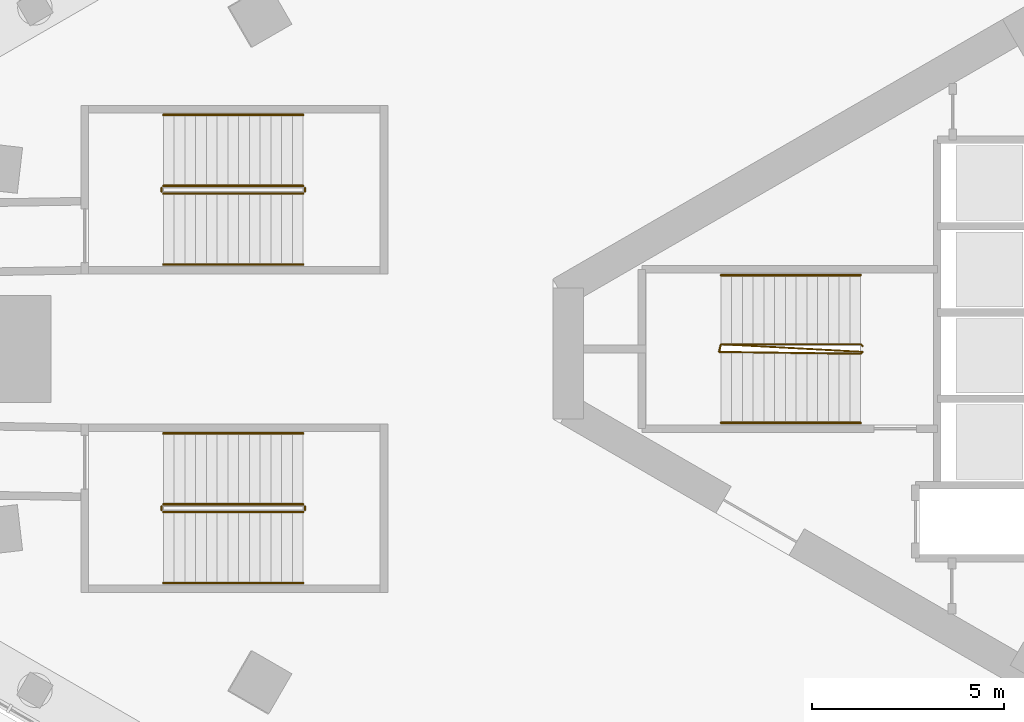
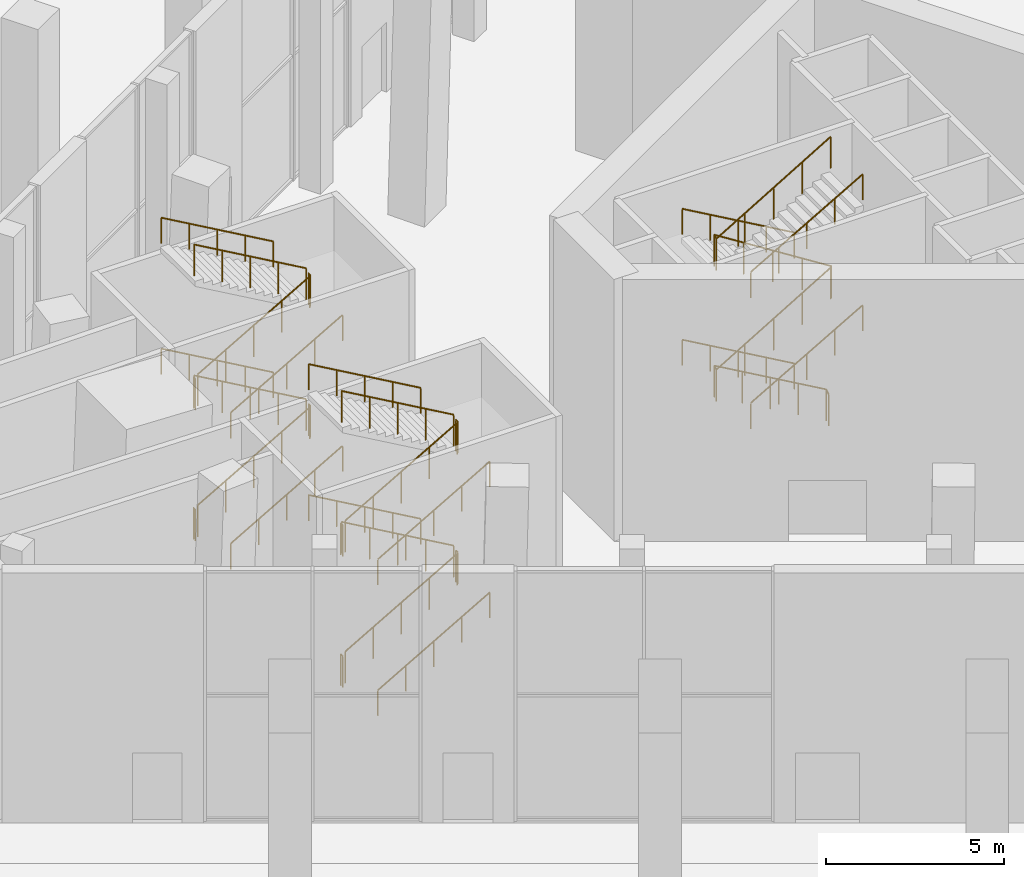
# One storey, part 48 of 63: 29 railings.
"""IFC4 building model written with IfcOpenShell, lengths in metres."""

import ifcopenshell
import ifcopenshell.guid

model = None  # the IFC model being written
_history = None  # IfcOwnerHistory: only IFC2X3 demands one
_inside = {}  # id of a spatial element -> (the spatial element, [elements in it])
_under = {}  # id of a project, library or spatial element -> (it, [spatial elements below it])
_declared = {}  # id of a project -> (the project, [libraries it declares])
_typed = {}  # id of a type object -> (the type object, [elements of that type])
_made_of = {}  # id of a material, layer set ... -> (it, [elements and type objects made of it])


def new_model(schema):
    """Start an empty IFC model of exactly this schema.

    Asked for "IFC4X3", IfcOpenShell would pick the latest addendum, in which some entities
    have other attributes; the version numbers below select the first issue.
    IFC2X3 requires an IfcOwnerHistory on every rooted entity: one is made here for all.
    """
    global model, _history
    if schema == "IFC4X3":
        model = ifcopenshell.file(schema_version=(4, 3, 0, 0))
    else:
        model = ifcopenshell.file(schema=schema)
    _inside.clear()
    _under.clear()
    _declared.clear()
    _typed.clear()
    _made_of.clear()
    _history = None
    if model.schema == "IFC2X3":
        org = make("IfcOrganization", Name="unknown")
        user = make(
            "IfcPersonAndOrganization",
            ThePerson=make("IfcPerson", FamilyName="unknown"),
            TheOrganization=org,
        )
        app = make(
            "IfcApplication",
            ApplicationDeveloper=org,
            Version="unknown",
            ApplicationFullName="unknown",
            ApplicationIdentifier="unknown",
        )
        _history = make(
            "IfcOwnerHistory",
            OwningUser=user,
            OwningApplication=app,
            ChangeAction="ADDED",
            CreationDate=0,
        )
    return model


def make(cls, **values):
    """One entity of the class cls with the attributes given. An attribute that is None is left unset."""
    return model.create_entity(
        cls, **{name: value for name, value in values.items() if value is not None}
    )


def rooted(cls, **values):
    """An entity with a GlobalId (a new one), such as an element, a storey or a relation."""
    return make(cls, GlobalId=ifcopenshell.guid.new(), OwnerHistory=_history, **values)


def si_unit(unit_type, name, prefix=None):
    """IfcSIUnit, for example si_unit("LENGTHUNIT", "METRE", prefix="MILLI")."""
    return make("IfcSIUnit", UnitType=unit_type, Prefix=prefix, Name=name)


def assignment(units):
    """IfcUnitAssignment: the units of a project."""
    return None if units is None else make("IfcUnitAssignment", Units=units)


def point(xyz):
    """IfcCartesianPoint."""
    return None if xyz is None else make("IfcCartesianPoint", Coordinates=xyz)


def direction(xyz):
    """IfcDirection."""
    return None if xyz is None else make("IfcDirection", DirectionRatios=xyz)


def frame(location, z_axis=None, x_axis=None):
    """IfcAxis2Placement3D, a coordinate frame: its origin and axes. An axis left out is left unset."""
    return make(
        "IfcAxis2Placement3D",
        Location=point(location),
        Axis=direction(z_axis),
        RefDirection=direction(x_axis),
    )


def frame_2d(location, x_axis=None):
    """IfcAxis2Placement2D, a coordinate frame in the plane: its origin and x axis."""
    return make(
        "IfcAxis2Placement2D", Location=point(location), RefDirection=direction(x_axis)
    )


def origin():
    """The frame at (0, 0, 0) with its axes left unset."""
    return frame((0.0, 0.0, 0.0))


def origin_2d():
    """The frame at (0, 0) in the plane with its x axis left unset."""
    return frame_2d((0.0, 0.0))


def place(relative_to, where):
    """IfcLocalPlacement: puts the frame where relative to a parent placement (None: the world)."""
    return make(
        "IfcLocalPlacement", PlacementRelTo=relative_to, RelativePlacement=where
    )


def context(
    kind, dimensions, precision=None, world=None, true_north=None, identifier=None
):
    """IfcGeometricRepresentationContext, for example the 3D "Model" context."""
    return make(
        "IfcGeometricRepresentationContext",
        ContextIdentifier=identifier,
        ContextType=kind,
        CoordinateSpaceDimension=dimensions,
        Precision=precision,
        WorldCoordinateSystem=world,
        TrueNorth=true_north,
    )


def subcontext(parent, identifier, kind, view, scale=None):
    """IfcGeometricRepresentationSubContext, for example "Body" below "Model"."""
    return make(
        "IfcGeometricRepresentationSubContext",
        ContextIdentifier=identifier,
        ContextType=kind,
        ParentContext=parent,
        TargetScale=scale,
        TargetView=view,
    )


def project(units=None, contexts=None):
    """IfcProject with its units and contexts."""
    return rooted(
        "IfcProject",
        Name="project",
        RepresentationContexts=contexts,
        UnitsInContext=assignment(units),
    )


def spatial(cls, under=None, at=None, **own):
    """A site, building, storey or space (cls), placed at a placement, below another one or the project."""
    s = rooted(cls, ObjectPlacement=at, **own)
    if under is not None:
        _under.setdefault(under.id(), (under, []))[1].append(s)
    return s


def profile(cls, at=None, kind="AREA", **sizes):
    """A parametric profile (cls). Its sizes go by their IFC names, for example OverallWidth=200.0."""
    return make(cls, ProfileType=kind, Position=at, **sizes)


def circle(**sizes):
    """IfcCircleProfileDef."""
    return profile("IfcCircleProfileDef", **sizes)


def extrude(swept, where, along, depth):
    """IfcExtrudedAreaSolid: the profile swept, set in the frame where, extruded along a direction by depth."""
    return make(
        "IfcExtrudedAreaSolid",
        SweptArea=swept,
        Position=where,
        ExtrudedDirection=direction(along),
        Depth=depth,
    )


def shape(context_of_items, identifier, shape_type, items):
    """IfcShapeRepresentation: the items that make up one representation, for example the "Body"."""
    return make(
        "IfcShapeRepresentation",
        ContextOfItems=context_of_items,
        RepresentationIdentifier=identifier,
        RepresentationType=shape_type,
        Items=items,
    )


def material(Name=None, Category=None):
    """IfcMaterial."""
    return make("IfcMaterial", Name=Name, Category=Category)


def made_of(thing, what):
    """Note that an element or type object is made of a material, layer set ...; save() writes the relation."""
    if what is not None:
        _made_of.setdefault(what.id(), (what, []))[1].append(thing)
    return thing


def type_object(cls, material=None, **own):
    """A type object (cls), such as IfcWallType, which elements share."""
    return made_of(rooted(cls, **own), material)


def element(
    cls,
    number,
    at=None,
    inside=None,
    cuts=None,
    type_object=None,
    material=None,
    context=None,
    identifier="Body",
    shape_type=None,
    held_by="IfcProductDefinitionShape",
    body=None,
    shapes=None,
    **own,
):
    """One element of the class cls, such as IfcWall. Its Tag is "e" and its number.

    at: its placement. inside: the storey or other place that contains it. cuts: it is an
    opening in that element (IfcRelVoidsElement). A single representation is given by context,
    identifier, shape_type and body (its items); several are given by shapes. held_by: the class
    of the entity that holds the representations. save() writes the other relations.
    """
    e = rooted(cls, Tag="e%d" % number, ObjectPlacement=at, **own)
    if body is not None:
        shapes = [shape(context, identifier, shape_type, body)]
    if shapes is not None:
        e.Representation = make(held_by, Representations=shapes)
    if inside is not None:
        _inside.setdefault(inside.id(), (inside, []))[1].append(e)
    if cuts is not None:
        rooted(
            "IfcRelVoidsElement", RelatingBuildingElement=cuts, RelatedOpeningElement=e
        )
    if type_object is not None:
        _typed.setdefault(type_object.id(), (type_object, []))[1].append(e)
    return made_of(e, material)


def aggregate(whole, parts):
    """IfcRelAggregates: a whole, such as a stair, and the parts it consists of."""
    return rooted("IfcRelAggregates", RelatingObject=whole, RelatedObjects=parts)


def save(model, path):
    """Write the relations noted so far, then the file.

    IfcRelAggregates (storeys below a building ...), IfcRelContainedInSpatialStructure (elements
    in a storey), IfcRelDefinesByType, IfcRelAssociatesMaterial and IfcRelDeclares: one each for
    every whole, place, type object, material and project.
    """
    for whole, parts in _under.values():
        aggregate(whole, parts)
    for where, things in _inside.values():
        rooted(
            "IfcRelContainedInSpatialStructure",
            RelatedElements=things,
            RelatingStructure=where,
        )
    for kind, things in _typed.values():
        rooted("IfcRelDefinesByType", RelatedObjects=things, RelatingType=kind)
    for what, things in _made_of.values():
        rooted("IfcRelAssociatesMaterial", RelatedObjects=things, RelatingMaterial=what)
    for by, libraries in _declared.values():
        rooted("IfcRelDeclares", RelatingContext=by, RelatedDefinitions=libraries)
    model.write(path)


model = new_model("IFC4")

# Units and contexts
model_context = context("Model", 3, precision=1e-05, world=origin(), true_north=direction((0.0, 1.0)))
body_context = subcontext(model_context, "Body", "Model", "MODEL_VIEW")
ifc_project = project(units=[si_unit("LENGTHUNIT", "METRE"), si_unit("AREAUNIT", "SQUARE_METRE"), si_unit("VOLUMEUNIT", "CUBIC_METRE"), si_unit("PLANEANGLEUNIT", "RADIAN"), si_unit("MASSUNIT", "GRAM", prefix="KILO")], contexts=[model_context])

# Site, building, storey
site_placement = place(None, origin())
site = spatial("IfcSite", under=ifc_project, at=site_placement, CompositionType="ELEMENT")
building_placement = place(site_placement, origin())
building = spatial("IfcBuilding", under=site, at=building_placement, Name="Jabali Bay Hotel Tower and Convention Centre", CompositionType="ELEMENT")
storey_placement = place(building_placement, origin())
storey = spatial("IfcBuildingStorey", under=building, at=storey_placement, Name="L00", CompositionType="ELEMENT", Elevation=0.0)

# Railings
ifc_material = material(Name="Steel Q355B", Category="steel")
railing_type_1 = type_object("IfcRailingType", Name="Stair guard 1100", PredefinedType="GUARDRAIL", material=ifc_material)
railing_1_placement = place(storey_placement, frame((56.469970703125, 80.074951171875, 0.0)))
element("IfcRailing", 1, at=railing_1_placement, inside=storey, type_object=railing_type_1, Name="L00 ST1 stair guard 1", PredefinedType="GUARDRAIL", context=body_context, shape_type="SweptSolid", body=[
    extrude(circle(Radius=0.02392578125, at=origin_2d()), frame((0.0, 0.0, 1.076171875), z_axis=(-0.285103605394, 0.285103605394, 0.91511303585), x_axis=(-0.707106781187, -0.707106781187, 0.0)), (0.0, 0.0, 1.0), 0.175537109375),
    extrude(circle(Radius=0.02392578125, at=origin_2d()), frame((-0.050048828125, 0.050048828125, 1.23681640625), z_axis=(-0.8672749571, 0.0, 0.497829437445), x_axis=(0.0, -1.0, 0.0)), (0.0, 0.0, 1.0), 4.197021484375),
    extrude(circle(Radius=0.02392578125, at=origin_2d()), frame((-3.68994140625, 0.050048828125, 3.326171875), z_axis=(-0.242814311512, -0.970072785993, 0.0), x_axis=(0.970072785993, -0.242814311512, 0.0)), (0.0, 0.0, 1.0), 0.2060546875),
    extrude(circle(Radius=0.02392578125, at=origin_2d()), frame((-3.739990234375, -0.14990234375, 3.326171875), z_axis=(0.853735256921, -0.011579709387, 0.520578544911), x_axis=(0.013562335953, 0.999908027292, 0.0)), (0.0, 0.0, 1.0), 4.322021484375),
    extrude(circle(Radius=0.02392578125, at=origin_2d()), frame((-0.050048828125, -0.199951171875, 5.576171875), z_axis=(0.707106781187, 0.707106781187, 0.0), x_axis=(-0.707106781187, 0.707106781187, 0.0)), (0.0, 0.0, 1.0), 0.07080078125),
    extrude(circle(Radius=0.02392578125, at=origin_2d()), frame((0.0, -0.14990234375, 5.576171875), z_axis=(-0.852880197466, 0.046216017052, 0.520057158915), x_axis=(-0.054108786762, -0.998535046553, 0.0)), (0.0, 0.0, 1.0), 4.326416015625),
    extrude(circle(Radius=0.02392578125, at=origin_2d()), frame((-3.68994140625, 0.050048828125, 7.826171875), z_axis=(-0.242814311512, -0.970072785993, 0.0), x_axis=(0.970072785993, -0.242814311512, 0.0)), (0.0, 0.0, 1.0), 0.2060546875),
    extrude(circle(Radius=0.02392578125, at=origin_2d()), frame((-3.739990234375, -0.14990234375, 7.826171875), z_axis=(0.853735256921, -0.011579709387, 0.520578544911), x_axis=(0.013562335953, 0.999908027292, 0.0)), (0.0, 0.0, 1.0), 4.322021484375),
    extrude(circle(Radius=0.02099609375, at=origin_2d()), origin(), (0.0, 0.0, 1.0), 1.052001953125),
    extrude(circle(Radius=0.02099609375, at=origin_2d()), frame((-0.050048828125, 0.050048828125, 0.16064453125)), (0.0, 0.0, 1.0), 1.052001953125),
    extrude(circle(Radius=0.02099609375, at=origin_2d()), frame((-0.9599609375, 0.050048828125, 0.68310546875)), (0.0, 0.0, 1.0), 1.052001953125),
    extrude(circle(Radius=0.02099609375, at=origin_2d()), frame((-1.8701171875, 0.050048828125, 1.205322265625)), (0.0, 0.0, 1.0), 1.052001953125),
    extrude(circle(Radius=0.02099609375, at=origin_2d()), frame((-2.780029296875, 0.050048828125, 1.7275390625)), (0.0, 0.0, 1.0), 1.052001953125),
    extrude(circle(Radius=0.02099609375, at=origin_2d()), frame((-3.68994140625, 0.050048828125, 2.25)), (0.0, 0.0, 1.0), 1.052001953125),
    extrude(circle(Radius=0.02099609375, at=origin_2d()), frame((-3.739990234375, -0.14990234375, 2.25)), (0.0, 0.0, 1.0), 1.052001953125),
    extrude(circle(Radius=0.02099609375, at=origin_2d()), frame((-2.8173828125, -0.162353515625, 2.8125)), (0.0, 0.0, 1.0), 1.052001953125),
    extrude(circle(Radius=0.02099609375, at=origin_2d()), frame((-1.89501953125, -0.1748046875, 3.375)), (0.0, 0.0, 1.0), 1.052001953125),
    extrude(circle(Radius=0.02099609375, at=origin_2d()), frame((-0.97265625, -0.1875, 3.9375)), (0.0, 0.0, 1.0), 1.052001953125),
    extrude(circle(Radius=0.02099609375, at=origin_2d()), frame((-0.050048828125, -0.199951171875, 4.5)), (0.0, 0.0, 1.0), 1.052001953125),
    extrude(circle(Radius=0.02099609375, at=origin_2d()), frame((0.0, -0.14990234375, 4.5)), (0.0, 0.0, 1.0), 1.052001953125),
    extrude(circle(Radius=0.02099609375, at=origin_2d()), frame((-0.92236328125, -0.099853515625, 5.0625)), (0.0, 0.0, 1.0), 1.052001953125),
    extrude(circle(Radius=0.02099609375, at=origin_2d()), frame((-1.844970703125, -0.0498046875, 5.625)), (0.0, 0.0, 1.0), 1.052001953125),
    extrude(circle(Radius=0.02099609375, at=origin_2d()), frame((-2.767578125, 0.0, 6.1875)), (0.0, 0.0, 1.0), 1.052001953125),
    extrude(circle(Radius=0.02099609375, at=origin_2d()), frame((-3.68994140625, 0.050048828125, 6.75)), (0.0, 0.0, 1.0), 1.052001953125),
    extrude(circle(Radius=0.02099609375, at=origin_2d()), frame((-3.739990234375, -0.14990234375, 6.75)), (0.0, 0.0, 1.0), 1.052001953125),
    extrude(circle(Radius=0.02099609375, at=origin_2d()), frame((-2.8173828125, -0.162353515625, 7.3125)), (0.0, 0.0, 1.0), 1.052001953125),
    extrude(circle(Radius=0.02099609375, at=origin_2d()), frame((-1.89501953125, -0.1748046875, 7.875)), (0.0, 0.0, 1.0), 1.052001953125),
    extrude(circle(Radius=0.02099609375, at=origin_2d()), frame((-0.97265625, -0.1875, 8.4375)), (0.0, 0.0, 1.0), 1.052001953125),
    extrude(circle(Radius=0.02099609375, at=origin_2d()), frame((-0.050048828125, -0.199951171875, 9.0)), (0.0, 0.0, 1.0), 1.052001953125),
])
railing_2_placement = place(storey_placement, frame((38.25, 75.75, 0.16064453125)))
element("IfcRailing", 2, at=railing_2_placement, inside=storey, type_object=railing_type_1, Name="L00 PS1 stair guard 1", PredefinedType="GUARDRAIL", context=body_context, shape_type="SweptSolid", body=[
    extrude(circle(Radius=0.02392578125, at=origin_2d()), frame((0.0, 0.0, 1.076171875), z_axis=(0.8672749571, 0.0, 0.497829437445), x_axis=(0.0, 1.0, 0.0)), (0.0, 0.0, 1.0), 4.197021484375),
    extrude(circle(Radius=0.02099609375, at=origin_2d()), origin(), (0.0, 0.0, 1.0), 1.052001953125),
    extrude(circle(Radius=0.02099609375, at=origin_2d()), frame((0.909912109375, 0.0, 0.5224609375)), (0.0, 0.0, 1.0), 1.052001953125),
    extrude(circle(Radius=0.02099609375, at=origin_2d()), frame((1.81982421875, 0.0, 1.044677734375)), (0.0, 0.0, 1.0), 1.052001953125),
    extrude(circle(Radius=0.02099609375, at=origin_2d()), frame((2.72998046875, 0.0, 1.56689453125)), (0.0, 0.0, 1.0), 1.052001953125),
    extrude(circle(Radius=0.02099609375, at=origin_2d()), frame((3.639892578125, 0.0, 2.08935546875)), (0.0, 0.0, 1.0), 1.052001953125),
])
railing_3_placement = place(storey_placement, frame((41.93994140625, 75.800048828125, 2.25)))
element("IfcRailing", 3, at=railing_3_placement, inside=storey, type_object=railing_type_1, Name="L00 PS1 stair guard 2", PredefinedType="GUARDRAIL", context=body_context, shape_type="SweptSolid", body=[
    extrude(circle(Radius=0.02392578125, at=origin_2d()), frame((0.0, 0.0, 1.076171875), z_axis=(0.0, 1.0, 0.0), x_axis=(-1.0, 0.0, 0.0)), (0.0, 0.0, 1.0), 0.099853515625),
    extrude(circle(Radius=0.02099609375, at=origin_2d()), origin(), (0.0, 0.0, 1.0), 1.052001953125),
    extrude(circle(Radius=0.02099609375, at=origin_2d()), frame((0.0, 0.099853515625, 0.0)), (0.0, 0.0, 1.0), 1.052001953125),
])
railing_4_placement = place(storey_placement, frame((41.889892578125, 75.949951171875, 2.41064453125)))
element("IfcRailing", 4, at=railing_4_placement, inside=storey, type_object=railing_type_1, Name="L00 PS1 stair guard 3", PredefinedType="GUARDRAIL", context=body_context, shape_type="SweptSolid", body=[
    extrude(circle(Radius=0.02392578125, at=origin_2d()), frame((0.0, 0.0, 1.076171875), z_axis=(-0.8672749571, 0.0, 0.497829437445), x_axis=(0.0, -1.0, 0.0)), (0.0, 0.0, 1.0), 4.197021484375),
    extrude(circle(Radius=0.02099609375, at=origin_2d()), origin(), (0.0, 0.0, 1.0), 1.052001953125),
    extrude(circle(Radius=0.02099609375, at=origin_2d()), frame((-0.909912109375, 0.0, 0.5224609375)), (0.0, 0.0, 1.0), 1.052001953125),
    extrude(circle(Radius=0.02099609375, at=origin_2d()), frame((-1.81982421875, 0.0, 1.044677734375)), (0.0, 0.0, 1.0), 1.052001953125),
    extrude(circle(Radius=0.02099609375, at=origin_2d()), frame((-2.72998046875, 0.0, 1.56689453125)), (0.0, 0.0, 1.0), 1.052001953125),
    extrude(circle(Radius=0.02099609375, at=origin_2d()), frame((-3.639892578125, 0.0, 2.08935546875)), (0.0, 0.0, 1.0), 1.052001953125),
])
railing_5_placement = place(storey_placement, frame((38.199951171875, 75.800048828125, 4.5)))
element("IfcRailing", 5, at=railing_5_placement, inside=storey, type_object=railing_type_1, Name="L00 PS1 stair guard 4", PredefinedType="GUARDRAIL", context=body_context, shape_type="SweptSolid", body=[
    extrude(circle(Radius=0.02392578125, at=origin_2d()), frame((0.0, 0.0, 1.076171875), z_axis=(0.0, 1.0, 0.0), x_axis=(-1.0, 0.0, 0.0)), (0.0, 0.0, 1.0), 0.099853515625),
    extrude(circle(Radius=0.02099609375, at=origin_2d()), origin(), (0.0, 0.0, 1.0), 1.052001953125),
    extrude(circle(Radius=0.02099609375, at=origin_2d()), frame((0.0, 0.099853515625, 0.0)), (0.0, 0.0, 1.0), 1.052001953125),
])
railing_6_placement = place(storey_placement, frame((38.25, 75.75, 4.66064453125)))
element("IfcRailing", 6, at=railing_6_placement, inside=storey, type_object=railing_type_1, Name="L00 PS1 stair guard 5", PredefinedType="GUARDRAIL", context=body_context, shape_type="SweptSolid", body=[
    extrude(circle(Radius=0.02392578125, at=origin_2d()), frame((0.0, 0.0, 1.076171875), z_axis=(0.8672749571, 0.0, 0.497829437445), x_axis=(0.0, 1.0, 0.0)), (0.0, 0.0, 1.0), 4.197021484375),
    extrude(circle(Radius=0.02099609375, at=origin_2d()), origin(), (0.0, 0.0, 1.0), 1.052001953125),
    extrude(circle(Radius=0.02099609375, at=origin_2d()), frame((0.909912109375, 0.0, 0.5224609375)), (0.0, 0.0, 1.0), 1.052001953125),
    extrude(circle(Radius=0.02099609375, at=origin_2d()), frame((1.81982421875, 0.0, 1.044677734375)), (0.0, 0.0, 1.0), 1.052001953125),
    extrude(circle(Radius=0.02099609375, at=origin_2d()), frame((2.72998046875, 0.0, 1.56689453125)), (0.0, 0.0, 1.0), 1.052001953125),
    extrude(circle(Radius=0.02099609375, at=origin_2d()), frame((3.639892578125, 0.0, 2.08935546875)), (0.0, 0.0, 1.0), 1.052001953125),
])
railing_7_placement = place(storey_placement, frame((41.93994140625, 75.800048828125, 6.75)))
element("IfcRailing", 7, at=railing_7_placement, inside=storey, type_object=railing_type_1, Name="L00 PS1 stair guard 6", PredefinedType="GUARDRAIL", context=body_context, shape_type="SweptSolid", body=[
    extrude(circle(Radius=0.02392578125, at=origin_2d()), frame((0.0, 0.0, 1.076171875), z_axis=(0.0, 1.0, 0.0), x_axis=(-1.0, 0.0, 0.0)), (0.0, 0.0, 1.0), 0.099853515625),
    extrude(circle(Radius=0.02099609375, at=origin_2d()), origin(), (0.0, 0.0, 1.0), 1.052001953125),
    extrude(circle(Radius=0.02099609375, at=origin_2d()), frame((0.0, 0.099853515625, 0.0)), (0.0, 0.0, 1.0), 1.052001953125),
])
railing_8_placement = place(storey_placement, frame((41.889892578125, 75.949951171875, 6.91064453125)))
element("IfcRailing", 8, at=railing_8_placement, inside=storey, type_object=railing_type_1, Name="L00 PS1 stair guard 7", PredefinedType="GUARDRAIL", context=body_context, shape_type="SweptSolid", body=[
    extrude(circle(Radius=0.02392578125, at=origin_2d()), frame((0.0, 0.0, 1.076171875), z_axis=(-0.8672749571, 0.0, 0.497829437445), x_axis=(0.0, -1.0, 0.0)), (0.0, 0.0, 1.0), 4.197021484375),
    extrude(circle(Radius=0.02099609375, at=origin_2d()), origin(), (0.0, 0.0, 1.0), 1.052001953125),
    extrude(circle(Radius=0.02099609375, at=origin_2d()), frame((-0.909912109375, 0.0, 0.5224609375)), (0.0, 0.0, 1.0), 1.052001953125),
    extrude(circle(Radius=0.02099609375, at=origin_2d()), frame((-1.81982421875, 0.0, 1.044677734375)), (0.0, 0.0, 1.0), 1.052001953125),
    extrude(circle(Radius=0.02099609375, at=origin_2d()), frame((-2.72998046875, 0.0, 1.56689453125)), (0.0, 0.0, 1.0), 1.052001953125),
    extrude(circle(Radius=0.02099609375, at=origin_2d()), frame((-3.639892578125, 0.0, 2.08935546875)), (0.0, 0.0, 1.0), 1.052001953125),
])
railing_9_placement = place(storey_placement, frame((38.199951171875, 75.800048828125, 0.0)))
element("IfcRailing", 9, at=railing_9_placement, inside=storey, type_object=railing_type_1, Name="L00 PS1 stair guard 8", PredefinedType="GUARDRAIL", context=body_context, shape_type="SweptSolid", body=[
    extrude(circle(Radius=0.02392578125, at=origin_2d()), frame((0.0, 0.0, 1.076171875), z_axis=(0.0, 1.0, 0.0), x_axis=(-1.0, 0.0, 0.0)), (0.0, 0.0, 1.0), 0.099853515625),
    extrude(circle(Radius=0.02099609375, at=origin_2d()), origin(), (0.0, 0.0, 1.0), 1.052001953125),
    extrude(circle(Radius=0.02099609375, at=origin_2d()), frame((0.0, 0.099853515625, 0.0)), (0.0, 0.0, 1.0), 1.052001953125),
])
railing_10_placement = place(storey_placement, frame((38.25, 84.050048828125, 0.16064453125)))
element("IfcRailing", 10, at=railing_10_placement, inside=storey, type_object=railing_type_1, Name="L00 PS2 stair guard 1", PredefinedType="GUARDRAIL", context=body_context, shape_type="SweptSolid", body=[
    extrude(circle(Radius=0.02392578125, at=origin_2d()), frame((0.0, 0.0, 1.076171875), z_axis=(0.8672749571, 0.0, 0.497829437445), x_axis=(0.0, 1.0, 0.0)), (0.0, 0.0, 1.0), 4.197021484375),
    extrude(circle(Radius=0.02099609375, at=origin_2d()), origin(), (0.0, 0.0, 1.0), 1.052001953125),
    extrude(circle(Radius=0.02099609375, at=origin_2d()), frame((0.909912109375, 0.0, 0.5224609375)), (0.0, 0.0, 1.0), 1.052001953125),
    extrude(circle(Radius=0.02099609375, at=origin_2d()), frame((1.81982421875, 0.0, 1.044677734375)), (0.0, 0.0, 1.0), 1.052001953125),
    extrude(circle(Radius=0.02099609375, at=origin_2d()), frame((2.72998046875, 0.0, 1.56689453125)), (0.0, 0.0, 1.0), 1.052001953125),
    extrude(circle(Radius=0.02099609375, at=origin_2d()), frame((3.639892578125, 0.0, 2.08935546875)), (0.0, 0.0, 1.0), 1.052001953125),
])
railing_11_placement = place(storey_placement, frame((41.93994140625, 84.10009765625, 2.25)))
element("IfcRailing", 11, at=railing_11_placement, inside=storey, type_object=railing_type_1, Name="L00 PS2 stair guard 2", PredefinedType="GUARDRAIL", context=body_context, shape_type="SweptSolid", body=[
    extrude(circle(Radius=0.02392578125, at=origin_2d()), frame((0.0, 0.0, 1.076171875), z_axis=(0.0, 1.0, 0.0), x_axis=(-1.0, 0.0, 0.0)), (0.0, 0.0, 1.0), 0.099853515625),
    extrude(circle(Radius=0.02099609375, at=origin_2d()), origin(), (0.0, 0.0, 1.0), 1.052001953125),
    extrude(circle(Radius=0.02099609375, at=origin_2d()), frame((0.0, 0.099853515625, 0.0)), (0.0, 0.0, 1.0), 1.052001953125),
])
railing_12_placement = place(storey_placement, frame((41.889892578125, 84.25, 2.41064453125)))
element("IfcRailing", 12, at=railing_12_placement, inside=storey, type_object=railing_type_1, Name="L00 PS2 stair guard 3", PredefinedType="GUARDRAIL", context=body_context, shape_type="SweptSolid", body=[
    extrude(circle(Radius=0.02392578125, at=origin_2d()), frame((0.0, 0.0, 1.076171875), z_axis=(-0.8672749571, 0.0, 0.497829437445), x_axis=(0.0, -1.0, 0.0)), (0.0, 0.0, 1.0), 4.197021484375),
    extrude(circle(Radius=0.02099609375, at=origin_2d()), origin(), (0.0, 0.0, 1.0), 1.052001953125),
    extrude(circle(Radius=0.02099609375, at=origin_2d()), frame((-0.909912109375, 0.0, 0.5224609375)), (0.0, 0.0, 1.0), 1.052001953125),
    extrude(circle(Radius=0.02099609375, at=origin_2d()), frame((-1.81982421875, 0.0, 1.044677734375)), (0.0, 0.0, 1.0), 1.052001953125),
    extrude(circle(Radius=0.02099609375, at=origin_2d()), frame((-2.72998046875, 0.0, 1.56689453125)), (0.0, 0.0, 1.0), 1.052001953125),
    extrude(circle(Radius=0.02099609375, at=origin_2d()), frame((-3.639892578125, 0.0, 2.08935546875)), (0.0, 0.0, 1.0), 1.052001953125),
])
railing_13_placement = place(storey_placement, frame((38.199951171875, 84.10009765625, 4.5)))
element("IfcRailing", 13, at=railing_13_placement, inside=storey, type_object=railing_type_1, Name="L00 PS2 stair guard 4", PredefinedType="GUARDRAIL", context=body_context, shape_type="SweptSolid", body=[
    extrude(circle(Radius=0.02392578125, at=origin_2d()), frame((0.0, 0.0, 1.076171875), z_axis=(0.0, 1.0, 0.0), x_axis=(-1.0, 0.0, 0.0)), (0.0, 0.0, 1.0), 0.099853515625),
    extrude(circle(Radius=0.02099609375, at=origin_2d()), origin(), (0.0, 0.0, 1.0), 1.052001953125),
    extrude(circle(Radius=0.02099609375, at=origin_2d()), frame((0.0, 0.099853515625, 0.0)), (0.0, 0.0, 1.0), 1.052001953125),
])
railing_14_placement = place(storey_placement, frame((38.25, 84.050048828125, 4.66064453125)))
element("IfcRailing", 14, at=railing_14_placement, inside=storey, type_object=railing_type_1, Name="L00 PS2 stair guard 5", PredefinedType="GUARDRAIL", context=body_context, shape_type="SweptSolid", body=[
    extrude(circle(Radius=0.02392578125, at=origin_2d()), frame((0.0, 0.0, 1.076171875), z_axis=(0.8672749571, 0.0, 0.497829437445), x_axis=(0.0, 1.0, 0.0)), (0.0, 0.0, 1.0), 4.197021484375),
    extrude(circle(Radius=0.02099609375, at=origin_2d()), origin(), (0.0, 0.0, 1.0), 1.052001953125),
    extrude(circle(Radius=0.02099609375, at=origin_2d()), frame((0.909912109375, 0.0, 0.5224609375)), (0.0, 0.0, 1.0), 1.052001953125),
    extrude(circle(Radius=0.02099609375, at=origin_2d()), frame((1.81982421875, 0.0, 1.044677734375)), (0.0, 0.0, 1.0), 1.052001953125),
    extrude(circle(Radius=0.02099609375, at=origin_2d()), frame((2.72998046875, 0.0, 1.56689453125)), (0.0, 0.0, 1.0), 1.052001953125),
    extrude(circle(Radius=0.02099609375, at=origin_2d()), frame((3.639892578125, 0.0, 2.08935546875)), (0.0, 0.0, 1.0), 1.052001953125),
])
railing_15_placement = place(storey_placement, frame((41.93994140625, 84.10009765625, 6.75)))
element("IfcRailing", 15, at=railing_15_placement, inside=storey, type_object=railing_type_1, Name="L00 PS2 stair guard 6", PredefinedType="GUARDRAIL", context=body_context, shape_type="SweptSolid", body=[
    extrude(circle(Radius=0.02392578125, at=origin_2d()), frame((0.0, 0.0, 1.076171875), z_axis=(0.0, 1.0, 0.0), x_axis=(-1.0, 0.0, 0.0)), (0.0, 0.0, 1.0), 0.099853515625),
    extrude(circle(Radius=0.02099609375, at=origin_2d()), origin(), (0.0, 0.0, 1.0), 1.052001953125),
    extrude(circle(Radius=0.02099609375, at=origin_2d()), frame((0.0, 0.099853515625, 0.0)), (0.0, 0.0, 1.0), 1.052001953125),
])
railing_16_placement = place(storey_placement, frame((41.889892578125, 84.25, 6.91064453125)))
element("IfcRailing", 16, at=railing_16_placement, inside=storey, type_object=railing_type_1, Name="L00 PS2 stair guard 7", PredefinedType="GUARDRAIL", context=body_context, shape_type="SweptSolid", body=[
    extrude(circle(Radius=0.02392578125, at=origin_2d()), frame((0.0, 0.0, 1.076171875), z_axis=(-0.8672749571, 0.0, 0.497829437445), x_axis=(0.0, -1.0, 0.0)), (0.0, 0.0, 1.0), 4.197021484375),
    extrude(circle(Radius=0.02099609375, at=origin_2d()), origin(), (0.0, 0.0, 1.0), 1.052001953125),
    extrude(circle(Radius=0.02099609375, at=origin_2d()), frame((-0.909912109375, 0.0, 0.5224609375)), (0.0, 0.0, 1.0), 1.052001953125),
    extrude(circle(Radius=0.02099609375, at=origin_2d()), frame((-1.81982421875, 0.0, 1.044677734375)), (0.0, 0.0, 1.0), 1.052001953125),
    extrude(circle(Radius=0.02099609375, at=origin_2d()), frame((-2.72998046875, 0.0, 1.56689453125)), (0.0, 0.0, 1.0), 1.052001953125),
    extrude(circle(Radius=0.02099609375, at=origin_2d()), frame((-3.639892578125, 0.0, 2.08935546875)), (0.0, 0.0, 1.0), 1.052001953125),
])
railing_17_placement = place(storey_placement, frame((38.199951171875, 84.10009765625, 0.0)))
element("IfcRailing", 17, at=railing_17_placement, inside=storey, type_object=railing_type_1, Name="L00 PS2 stair guard 8", PredefinedType="GUARDRAIL", context=body_context, shape_type="SweptSolid", body=[
    extrude(circle(Radius=0.02392578125, at=origin_2d()), frame((0.0, 0.0, 1.076171875), z_axis=(0.0, 1.0, 0.0), x_axis=(-1.0, 0.0, 0.0)), (0.0, 0.0, 1.0), 0.099853515625),
    extrude(circle(Radius=0.02099609375, at=origin_2d()), origin(), (0.0, 0.0, 1.0), 1.052001953125),
    extrude(circle(Radius=0.02099609375, at=origin_2d()), frame((0.0, 0.099853515625, 0.0)), (0.0, 0.0, 1.0), 1.052001953125),
])
railing_type_2 = type_object("IfcRailingType", Name="Stair handrail 900", PredefinedType="HANDRAIL", material=ifc_material)
railing_18_placement = place(storey_placement, frame((56.419921875, 81.925048828125, 0.16064453125)))
element("IfcRailing", 18, at=railing_18_placement, inside=storey, type_object=railing_type_2, Name="L00 ST1 stair handrail 1", PredefinedType="HANDRAIL", context=body_context, shape_type="SweptSolid", body=[
    extrude(circle(Radius=0.02392578125, at=origin_2d()), frame((0.0, 0.0, 0.8759765625), z_axis=(-0.8672749571, 0.0, 0.497829437445), x_axis=(0.0, -1.0, 0.0)), (0.0, 0.0, 1.0), 4.197021484375),
    extrude(circle(Radius=0.02099609375, at=origin_2d()), origin(), (0.0, 0.0, 1.0), 0.851806640625),
    extrude(circle(Radius=0.02099609375, at=origin_2d()), frame((-0.909912109375, 0.0, 0.5224609375)), (0.0, 0.0, 1.0), 0.851806640625),
    extrude(circle(Radius=0.02099609375, at=origin_2d()), frame((-1.81982421875, 0.0, 1.044677734375)), (0.0, 0.0, 1.0), 0.851806640625),
    extrude(circle(Radius=0.02099609375, at=origin_2d()), frame((-2.72998046875, 0.0, 1.56689453125)), (0.0, 0.0, 1.0), 0.851806640625),
    extrude(circle(Radius=0.02099609375, at=origin_2d()), frame((-3.639892578125, 0.0, 2.08935546875)), (0.0, 0.0, 1.0), 0.851806640625),
])
railing_19_placement = place(storey_placement, frame((52.780029296875, 78.074951171875, 2.41064453125)))
element("IfcRailing", 19, at=railing_19_placement, inside=storey, type_object=railing_type_2, Name="L00 ST1 stair handrail 2", PredefinedType="HANDRAIL", context=body_context, shape_type="SweptSolid", body=[
    extrude(circle(Radius=0.02392578125, at=origin_2d()), frame((0.0, 0.0, 0.8759765625), z_axis=(0.8672749571, 0.0, 0.497829437445), x_axis=(0.0, 1.0, 0.0)), (0.0, 0.0, 1.0), 4.197021484375),
    extrude(circle(Radius=0.02099609375, at=origin_2d()), origin(), (0.0, 0.0, 1.0), 0.851806640625),
    extrude(circle(Radius=0.02099609375, at=origin_2d()), frame((0.909912109375, 0.0, 0.5224609375)), (0.0, 0.0, 1.0), 0.851806640625),
    extrude(circle(Radius=0.02099609375, at=origin_2d()), frame((1.81982421875, 0.0, 1.044677734375)), (0.0, 0.0, 1.0), 0.851806640625),
    extrude(circle(Radius=0.02099609375, at=origin_2d()), frame((2.72998046875, 0.0, 1.56689453125)), (0.0, 0.0, 1.0), 0.851806640625),
    extrude(circle(Radius=0.02099609375, at=origin_2d()), frame((3.639892578125, 0.0, 2.08935546875)), (0.0, 0.0, 1.0), 0.851806640625),
])
railing_20_placement = place(storey_placement, frame((56.419921875, 81.925048828125, 4.66064453125)))
element("IfcRailing", 20, at=railing_20_placement, inside=storey, type_object=railing_type_2, Name="L00 ST1 stair handrail 3", PredefinedType="HANDRAIL", context=body_context, shape_type="SweptSolid", body=[
    extrude(circle(Radius=0.02392578125, at=origin_2d()), frame((0.0, 0.0, 0.8759765625), z_axis=(-0.8672749571, 0.0, 0.497829437445), x_axis=(0.0, -1.0, 0.0)), (0.0, 0.0, 1.0), 4.197021484375),
    extrude(circle(Radius=0.02099609375, at=origin_2d()), origin(), (0.0, 0.0, 1.0), 0.851806640625),
    extrude(circle(Radius=0.02099609375, at=origin_2d()), frame((-0.909912109375, 0.0, 0.5224609375)), (0.0, 0.0, 1.0), 0.851806640625),
    extrude(circle(Radius=0.02099609375, at=origin_2d()), frame((-1.81982421875, 0.0, 1.044677734375)), (0.0, 0.0, 1.0), 0.851806640625),
    extrude(circle(Radius=0.02099609375, at=origin_2d()), frame((-2.72998046875, 0.0, 1.56689453125)), (0.0, 0.0, 1.0), 0.851806640625),
    extrude(circle(Radius=0.02099609375, at=origin_2d()), frame((-3.639892578125, 0.0, 2.08935546875)), (0.0, 0.0, 1.0), 0.851806640625),
])
for number, where, name in (
    (21, (52.780029296875, 78.074951171875, 6.91064453125), "L00 ST1 stair handrail 4"),
    (22, (38.25, 73.89990234375, 0.16064453125), "L00 PS1 stair handrail 1"),
):
    element("IfcRailing", number, at=place(storey_placement, frame(where)), inside=storey, type_object=railing_type_2, Name=name, PredefinedType="HANDRAIL", context=body_context, shape_type="SweptSolid", body=[
        extrude(circle(Radius=0.02392578125, at=origin_2d()), frame((0.0, 0.0, 0.8759765625), z_axis=(0.8672749571, 0.0, 0.497829437445), x_axis=(0.0, 1.0, 0.0)), (0.0, 0.0, 1.0), 4.197021484375),
        extrude(circle(Radius=0.02099609375, at=origin_2d()), origin(), (0.0, 0.0, 1.0), 0.851806640625),
        extrude(circle(Radius=0.02099609375, at=origin_2d()), frame((0.909912109375, 0.0, 0.5224609375)), (0.0, 0.0, 1.0), 0.851806640625),
        extrude(circle(Radius=0.02099609375, at=origin_2d()), frame((1.81982421875, 0.0, 1.044677734375)), (0.0, 0.0, 1.0), 0.851806640625),
        extrude(circle(Radius=0.02099609375, at=origin_2d()), frame((2.72998046875, 0.0, 1.56689453125)), (0.0, 0.0, 1.0), 0.851806640625),
        extrude(circle(Radius=0.02099609375, at=origin_2d()), frame((3.639892578125, 0.0, 2.08935546875)), (0.0, 0.0, 1.0), 0.851806640625),
    ])
railing_21_placement = place(storey_placement, frame((41.889892578125, 77.800048828125, 2.41064453125)))
element("IfcRailing", 23, at=railing_21_placement, inside=storey, type_object=railing_type_2, Name="L00 PS1 stair handrail 2", PredefinedType="HANDRAIL", context=body_context, shape_type="SweptSolid", body=[
    extrude(circle(Radius=0.02392578125, at=origin_2d()), frame((0.0, 0.0, 0.8759765625), z_axis=(-0.8672749571, 0.0, 0.497829437445), x_axis=(0.0, -1.0, 0.0)), (0.0, 0.0, 1.0), 4.197021484375),
    extrude(circle(Radius=0.02099609375, at=origin_2d()), origin(), (0.0, 0.0, 1.0), 0.851806640625),
    extrude(circle(Radius=0.02099609375, at=origin_2d()), frame((-0.909912109375, 0.0, 0.5224609375)), (0.0, 0.0, 1.0), 0.851806640625),
    extrude(circle(Radius=0.02099609375, at=origin_2d()), frame((-1.81982421875, 0.0, 1.044677734375)), (0.0, 0.0, 1.0), 0.851806640625),
    extrude(circle(Radius=0.02099609375, at=origin_2d()), frame((-2.72998046875, 0.0, 1.56689453125)), (0.0, 0.0, 1.0), 0.851806640625),
    extrude(circle(Radius=0.02099609375, at=origin_2d()), frame((-3.639892578125, 0.0, 2.08935546875)), (0.0, 0.0, 1.0), 0.851806640625),
])
railing_22_placement = place(storey_placement, frame((38.25, 73.89990234375, 4.66064453125)))
element("IfcRailing", 24, at=railing_22_placement, inside=storey, type_object=railing_type_2, Name="L00 PS1 stair handrail 3", PredefinedType="HANDRAIL", context=body_context, shape_type="SweptSolid", body=[
    extrude(circle(Radius=0.02392578125, at=origin_2d()), frame((0.0, 0.0, 0.8759765625), z_axis=(0.8672749571, 0.0, 0.497829437445), x_axis=(0.0, 1.0, 0.0)), (0.0, 0.0, 1.0), 4.197021484375),
    extrude(circle(Radius=0.02099609375, at=origin_2d()), origin(), (0.0, 0.0, 1.0), 0.851806640625),
    extrude(circle(Radius=0.02099609375, at=origin_2d()), frame((0.909912109375, 0.0, 0.5224609375)), (0.0, 0.0, 1.0), 0.851806640625),
    extrude(circle(Radius=0.02099609375, at=origin_2d()), frame((1.81982421875, 0.0, 1.044677734375)), (0.0, 0.0, 1.0), 0.851806640625),
    extrude(circle(Radius=0.02099609375, at=origin_2d()), frame((2.72998046875, 0.0, 1.56689453125)), (0.0, 0.0, 1.0), 0.851806640625),
    extrude(circle(Radius=0.02099609375, at=origin_2d()), frame((3.639892578125, 0.0, 2.08935546875)), (0.0, 0.0, 1.0), 0.851806640625),
])
railing_23_placement = place(storey_placement, frame((41.889892578125, 77.800048828125, 6.91064453125)))
element("IfcRailing", 25, at=railing_23_placement, inside=storey, type_object=railing_type_2, Name="L00 PS1 stair handrail 4", PredefinedType="HANDRAIL", context=body_context, shape_type="SweptSolid", body=[
    extrude(circle(Radius=0.02392578125, at=origin_2d()), frame((0.0, 0.0, 0.8759765625), z_axis=(-0.8672749571, 0.0, 0.497829437445), x_axis=(0.0, -1.0, 0.0)), (0.0, 0.0, 1.0), 4.197021484375),
    extrude(circle(Radius=0.02099609375, at=origin_2d()), origin(), (0.0, 0.0, 1.0), 0.851806640625),
    extrude(circle(Radius=0.02099609375, at=origin_2d()), frame((-0.909912109375, 0.0, 0.5224609375)), (0.0, 0.0, 1.0), 0.851806640625),
    extrude(circle(Radius=0.02099609375, at=origin_2d()), frame((-1.81982421875, 0.0, 1.044677734375)), (0.0, 0.0, 1.0), 0.851806640625),
    extrude(circle(Radius=0.02099609375, at=origin_2d()), frame((-2.72998046875, 0.0, 1.56689453125)), (0.0, 0.0, 1.0), 0.851806640625),
    extrude(circle(Radius=0.02099609375, at=origin_2d()), frame((-3.639892578125, 0.0, 2.08935546875)), (0.0, 0.0, 1.0), 0.851806640625),
])
railing_24_placement = place(storey_placement, frame((38.25, 82.199951171875, 0.16064453125)))
element("IfcRailing", 26, at=railing_24_placement, inside=storey, type_object=railing_type_2, Name="L00 PS2 stair handrail 1", PredefinedType="HANDRAIL", context=body_context, shape_type="SweptSolid", body=[
    extrude(circle(Radius=0.02392578125, at=origin_2d()), frame((0.0, 0.0, 0.8759765625), z_axis=(0.8672749571, 0.0, 0.497829437445), x_axis=(0.0, 1.0, 0.0)), (0.0, 0.0, 1.0), 4.197021484375),
    extrude(circle(Radius=0.02099609375, at=origin_2d()), origin(), (0.0, 0.0, 1.0), 0.851806640625),
    extrude(circle(Radius=0.02099609375, at=origin_2d()), frame((0.909912109375, 0.0, 0.5224609375)), (0.0, 0.0, 1.0), 0.851806640625),
    extrude(circle(Radius=0.02099609375, at=origin_2d()), frame((1.81982421875, 0.0, 1.044677734375)), (0.0, 0.0, 1.0), 0.851806640625),
    extrude(circle(Radius=0.02099609375, at=origin_2d()), frame((2.72998046875, 0.0, 1.56689453125)), (0.0, 0.0, 1.0), 0.851806640625),
    extrude(circle(Radius=0.02099609375, at=origin_2d()), frame((3.639892578125, 0.0, 2.08935546875)), (0.0, 0.0, 1.0), 0.851806640625),
])
railing_25_placement = place(storey_placement, frame((41.889892578125, 86.10009765625, 2.41064453125)))
element("IfcRailing", 27, at=railing_25_placement, inside=storey, type_object=railing_type_2, Name="L00 PS2 stair handrail 2", PredefinedType="HANDRAIL", context=body_context, shape_type="SweptSolid", body=[
    extrude(circle(Radius=0.02392578125, at=origin_2d()), frame((0.0, 0.0, 0.8759765625), z_axis=(-0.8672749571, 0.0, 0.497829437445), x_axis=(0.0, -1.0, 0.0)), (0.0, 0.0, 1.0), 4.197021484375),
    extrude(circle(Radius=0.02099609375, at=origin_2d()), origin(), (0.0, 0.0, 1.0), 0.851806640625),
    extrude(circle(Radius=0.02099609375, at=origin_2d()), frame((-0.909912109375, 0.0, 0.5224609375)), (0.0, 0.0, 1.0), 0.851806640625),
    extrude(circle(Radius=0.02099609375, at=origin_2d()), frame((-1.81982421875, 0.0, 1.044677734375)), (0.0, 0.0, 1.0), 0.851806640625),
    extrude(circle(Radius=0.02099609375, at=origin_2d()), frame((-2.72998046875, 0.0, 1.56689453125)), (0.0, 0.0, 1.0), 0.851806640625),
    extrude(circle(Radius=0.02099609375, at=origin_2d()), frame((-3.639892578125, 0.0, 2.08935546875)), (0.0, 0.0, 1.0), 0.851806640625),
])
railing_26_placement = place(storey_placement, frame((38.25, 82.199951171875, 4.66064453125)))
element("IfcRailing", 28, at=railing_26_placement, inside=storey, type_object=railing_type_2, Name="L00 PS2 stair handrail 3", PredefinedType="HANDRAIL", context=body_context, shape_type="SweptSolid", body=[
    extrude(circle(Radius=0.02392578125, at=origin_2d()), frame((0.0, 0.0, 0.8759765625), z_axis=(0.8672749571, 0.0, 0.497829437445), x_axis=(0.0, 1.0, 0.0)), (0.0, 0.0, 1.0), 4.197021484375),
    extrude(circle(Radius=0.02099609375, at=origin_2d()), origin(), (0.0, 0.0, 1.0), 0.851806640625),
    extrude(circle(Radius=0.02099609375, at=origin_2d()), frame((0.909912109375, 0.0, 0.5224609375)), (0.0, 0.0, 1.0), 0.851806640625),
    extrude(circle(Radius=0.02099609375, at=origin_2d()), frame((1.81982421875, 0.0, 1.044677734375)), (0.0, 0.0, 1.0), 0.851806640625),
    extrude(circle(Radius=0.02099609375, at=origin_2d()), frame((2.72998046875, 0.0, 1.56689453125)), (0.0, 0.0, 1.0), 0.851806640625),
    extrude(circle(Radius=0.02099609375, at=origin_2d()), frame((3.639892578125, 0.0, 2.08935546875)), (0.0, 0.0, 1.0), 0.851806640625),
])
railing_27_placement = place(storey_placement, frame((41.889892578125, 86.10009765625, 6.91064453125)))
element("IfcRailing", 29, at=railing_27_placement, inside=storey, type_object=railing_type_2, Name="L00 PS2 stair handrail 4", PredefinedType="HANDRAIL", context=body_context, shape_type="SweptSolid", body=[
    extrude(circle(Radius=0.02392578125, at=origin_2d()), frame((0.0, 0.0, 0.8759765625), z_axis=(-0.8672749571, 0.0, 0.497829437445), x_axis=(0.0, -1.0, 0.0)), (0.0, 0.0, 1.0), 4.197021484375),
    extrude(circle(Radius=0.02099609375, at=origin_2d()), origin(), (0.0, 0.0, 1.0), 0.851806640625),
    extrude(circle(Radius=0.02099609375, at=origin_2d()), frame((-0.909912109375, 0.0, 0.5224609375)), (0.0, 0.0, 1.0), 0.851806640625),
    extrude(circle(Radius=0.02099609375, at=origin_2d()), frame((-1.81982421875, 0.0, 1.044677734375)), (0.0, 0.0, 1.0), 0.851806640625),
    extrude(circle(Radius=0.02099609375, at=origin_2d()), frame((-2.72998046875, 0.0, 1.56689453125)), (0.0, 0.0, 1.0), 0.851806640625),
    extrude(circle(Radius=0.02099609375, at=origin_2d()), frame((-3.639892578125, 0.0, 2.08935546875)), (0.0, 0.0, 1.0), 0.851806640625),
])

save(model, "model.ifc")
